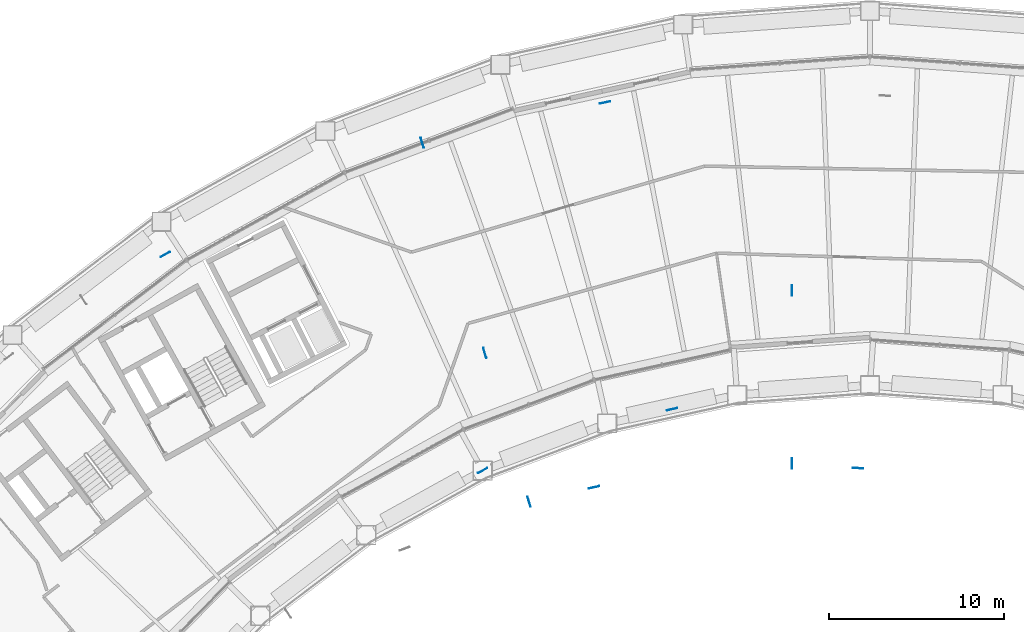
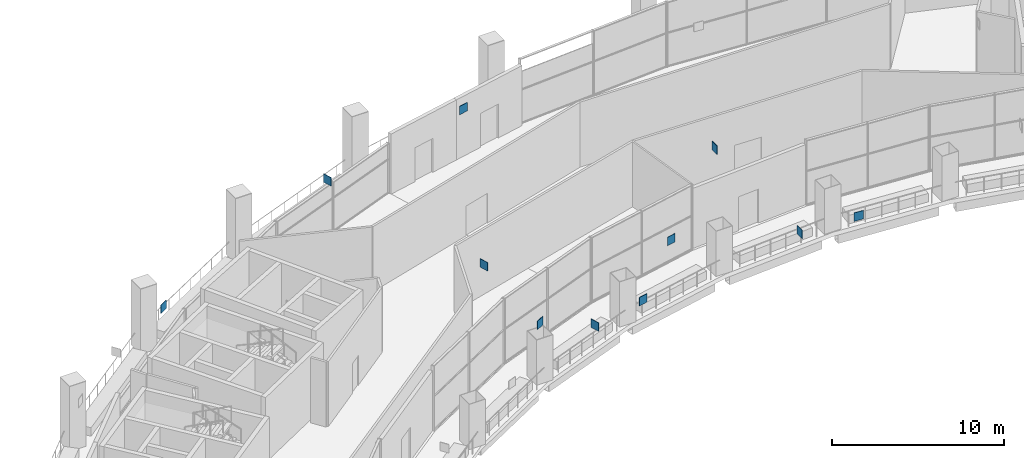
# One storey, part 22 of 28: 11 discrete accessories.
"""IFC4 building model written with IfcOpenShell, lengths in metres."""

from ifc_helpers import new_model, si_unit, direction, frame, origin, origin_2d, place, context, subcontext, project, spatial, rectangle, extrude, material, type_object, element, save


model = new_model("IFC4")

# Units and contexts
model_context = context("Model", 3, precision=1e-05, world=origin(), true_north=direction((0.0, 1.0)))
body_context = subcontext(model_context, "Body", "Model", "MODEL_VIEW")
ifc_project = project(units=[si_unit("LENGTHUNIT", "METRE"), si_unit("AREAUNIT", "SQUARE_METRE"), si_unit("VOLUMEUNIT", "CUBIC_METRE"), si_unit("PLANEANGLEUNIT", "RADIAN"), si_unit("MASSUNIT", "GRAM", prefix="KILO")], contexts=[model_context])

# Site, building, storey
site_placement = place(None, origin())
site = spatial("IfcSite", under=ifc_project, at=site_placement, CompositionType="ELEMENT")
building_placement = place(site_placement, origin())
building = spatial("IfcBuilding", under=site, at=building_placement, Name="Tuul Gate Civic Tower", CompositionType="ELEMENT")
storey_placement = place(building_placement, frame((0.0, 0.0, 128.699951171875)))
storey = spatial("IfcBuildingStorey", under=building, at=storey_placement, Name="Sky garden level 1", CompositionType="ELEMENT", Elevation=128.699951171875)

# Discrete accessories
ifc_material = material(Name="Steel S355", Category="steel")
discrete_accessory_type = type_object("IfcDiscreteAccessoryType", Name="Gusset plate", PredefinedType="BRACKET", material=ifc_material)
for number, where, z_axis, x_axis, name in (
    (1, (-15.703125, 6.16357421875, 3.596923828125), (0.0, 0.0, 1.0), (0.285212112775, -0.958464423297, 0.0), "Gusset plate"),
    (2, (-12.136474609375, -5.82373046875, 3.59716796875), (0.0, 0.0, 1.0), (-0.285212112775, 0.958464423297, 0.0), "Gusset plate"),
    (3, (-9.610107421875, -14.3076171875, 3.595947265625), (0.0, 0.0, 1.0), (-0.285212112775, 0.958464423297, 0.0), "Gusset plate"),
    (4, (5.3740234375, -2.250732421875, 3.596923828125), (0.0, 0.0, 1.0), (0.0, 1.0, 0.0), "Gusset plate"),
    (5, (5.37548828125, -12.12548828125, 3.59619140625), (0.0, 0.0, 1.0), (0.0, 1.0, 0.0), "Gusset plate"),
    (6, (-5.275146484375, 8.460205078125, 3.5966796875), (0.0, 0.0, 1.0), (-0.976568946286, -0.215204770275, 0.0), "Gusset plate"),
    (7, (-30.358642578125, -0.202880859375, 3.595947265625), (0.0, 0.0, 1.0), (0.874625223996, 0.484799667439, 0.0), "Gusset plate"),
    (8, (-12.257568359375, -12.53662109375, 3.595703125), (0.0, 0.0, 1.0), (-0.874598044765, -0.484848698146, 0.0), "Gusset plate"),
    (9, (-5.905029296875, -13.489990234375, 3.59619140625), (0.0, 0.0, 1.0), (-0.97656368755, -0.215228632292, 0.0), "Gusset plate"),
    (10, (-1.449951171875, -9.034912109375, 3.59619140625), (0.0, 0.0, 1.0), (-0.97656368755, -0.215228632292, 0.0), "Gusset plate"),
    (11, (9.159912109375, -12.3984375, 3.59619140625), (0.0, 0.0, 1.0), (-0.997381904937, 0.07231414595, 0.0), "Gusset plate"),
):
    element("IfcDiscreteAccessory", number, at=place(storey_placement, frame(where, z_axis=z_axis, x_axis=x_axis)), inside=storey, type_object=discrete_accessory_type, Name=name, PredefinedType="BRACKET", context=body_context, shape_type="SweptSolid", body=[
        extrude(rectangle(XDim=0.60009765625, YDim=0.030029296875, at=origin_2d()), origin(), (0.0, 0.0, 1.0), 0.60009765625),
    ])

save(model, "model.ifc")
